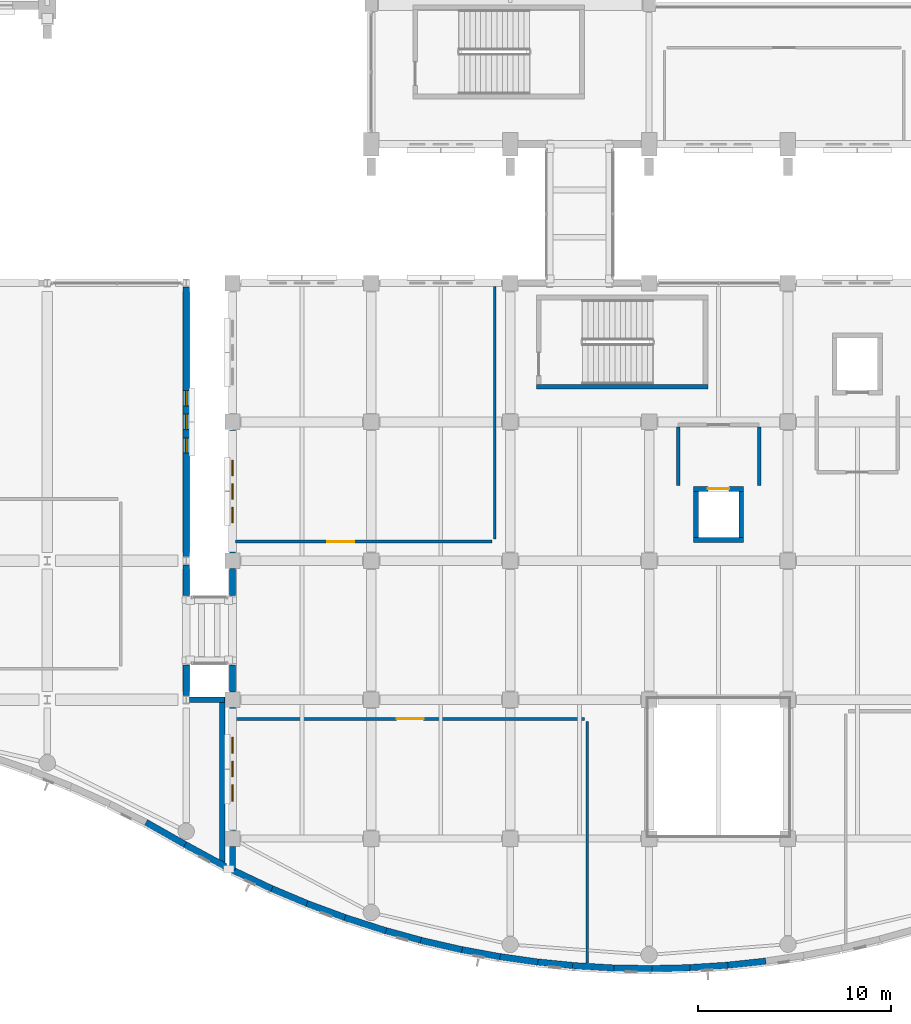
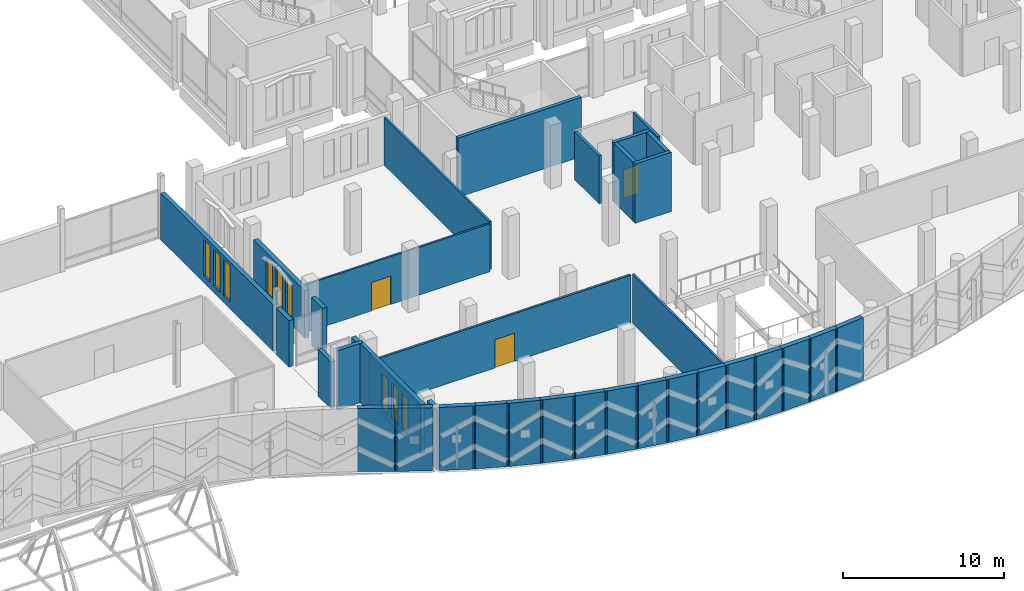
# One storey, part 158 of 220: 37 walls, 9 windows, 3 doors, 12 openings.
"""IFC4 building model written with IfcOpenShell, lengths in metres."""

from ifc_helpers import new_model, si_unit, direction, frame, frame_2d, origin, place, context, subcontext, project, spatial, rectangle, extrude, material, layer, layer_set, type_object, element, fill, save


model = new_model("IFC4")

# Units and contexts
model_context = context("Model", 3, precision=1e-05, world=origin(), true_north=direction((0.0, 1.0)))
body_context = subcontext(model_context, "Body", "Model", "MODEL_VIEW")
ifc_project = project(units=[si_unit("LENGTHUNIT", "METRE"), si_unit("AREAUNIT", "SQUARE_METRE"), si_unit("VOLUMEUNIT", "CUBIC_METRE"), si_unit("PLANEANGLEUNIT", "RADIAN"), si_unit("MASSUNIT", "GRAM", prefix="KILO")], contexts=[model_context])

# Site, building, storey
site_placement = place(None, origin())
site = spatial("IfcSite", under=ifc_project, at=site_placement, CompositionType="ELEMENT")
building_placement = place(site_placement, origin())
building = spatial("IfcBuilding", under=site, at=building_placement, Name="Cendralis Lancet Convention Centre", CompositionType="ELEMENT")
storey_placement = place(building_placement, frame((0.0, 0.0, 5.39990234375)))
storey = spatial("IfcBuildingStorey", under=building, at=storey_placement, Name="L01", CompositionType="ELEMENT", Elevation=5.39990234375)

# Walls
ifc_material_1 = material(Name="Buff sandstone ashlar and Concrete G40 (C40/50)", Category="masonry")
ifc_layer_1 = layer(ifc_material_1, 0.280029296875, Name="Buff sandstone ashlar and Concrete G40 (C40/50)")
ifc_layer_set_1 = layer_set([ifc_layer_1], Name="Buff sandstone ashlar and Concrete G40 (C40/50)")
wall_type_1 = type_object("IfcWallType", Name="ARC-EW-W280", PredefinedType="STANDARD", material=ifc_layer_set_1)
wall_1_placement = place(storey_placement, frame((131.47998046875, 14.5400390625, 0.0), z_axis=(0.0, 0.0, 1.0), x_axis=(0.0, -1.0, 0.0)))
element("IfcWall", 1, at=wall_1_placement, inside=storey, type_object=wall_type_1, Name="L01 V4 Wave East End Wall", PredefinedType="STANDARD", context=body_context, shape_type="SweptSolid", body=[
    extrude(rectangle(XDim=8.797119140625, YDim=0.280029296875, at=frame_2d((4.3984375, 0.0))), origin(), (0.0, 0.0, 1.0), 4.5),
])
wall_2_placement = place(storey_placement, frame((129.760009765625, 14.39990234375, 0.0), z_axis=(0.0, 0.0, 1.0), x_axis=(1.0, 0.0, 0.0)))
element("IfcWall", 2, at=wall_2_placement, inside=storey, type_object=wall_type_1, Name="L01 V4 Seismic Step Wall", PredefinedType="STANDARD", context=body_context, shape_type="SweptSolid", body=[
    extrude(rectangle(XDim=1.820068359375, YDim=0.280029296875, at=frame_2d((0.91015625, 0.0))), origin(), (0.0, 0.0, 1.0), 4.5),
])
ifc_layer_2 = layer(ifc_material_1, 0.320068359375, Name="Buff sandstone ashlar and Concrete G40 (C40/50)")
ifc_layer_set_2 = layer_set([ifc_layer_2], Name="Buff sandstone ashlar and Concrete G40 (C40/50)")
wall_type_2 = type_object("IfcWallType", Name="ARC-EW-W320", PredefinedType="STANDARD", material=ifc_layer_set_2)
for number, where, z_axis, x_axis, name in (
    (3, (129.60009765625, 21.39208984375, 0.0), (0.0, 0.0, 1.0), (0.0, -1.0, 0.0), "L01 V4 Exterior Wall EW-06 #0203"),
    (4, (129.60009765625, 16.199951171875, 0.0), (0.0, 0.0, 1.0), (0.0, -1.0, 0.0), "L01 V4 Exterior Wall EW-06 #0204"),
):
    element("IfcWall", number, at=place(storey_placement, frame(where, z_axis=z_axis, x_axis=x_axis)), inside=storey, type_object=wall_type_2, Name=name, PredefinedType="STANDARD", context=body_context, shape_type="SweptSolid", body=[
        extrude(rectangle(XDim=1.592041015625, YDim=0.320068359375, at=frame_2d((0.7958984375, 0.0))), origin(), (0.0, 0.0, 1.0), 3.53515625),
    ])

# Wall, openings, windows
wall_3_placement = place(storey_placement, frame((129.60009765625, 35.7919921875, 0.0), z_axis=(0.0, 0.0, 1.0), x_axis=(0.0, -1.0, 0.0)))
wall_3 = element("IfcWall", 5, at=wall_3_placement, inside=storey, type_object=wall_type_2, Name="L01 V4 Exterior Wall EW-06 #0205", PredefinedType="STANDARD", context=body_context, shape_type="SweptSolid", body=[
    extrude(rectangle(XDim=13.98388671875, YDim=0.320068359375, at=frame_2d((6.991943359375, 0.0))), origin(), (0.0, 0.0, 1.0), 3.53515625),
])
opening_1_placement = place(wall_3_placement, frame((5.3720703125, 0.0, 0.5)))
opening_1 = element("IfcOpeningElement", 6, at=opening_1_placement, cuts=wall_3, Name="Opening WN-07", PredefinedType="OPENING", context=body_context, shape_type="SweptSolid", body=[
    extrude(rectangle(XDim=0.800048828125, YDim=2.75, at=frame_2d((0.39990234375, 1.375))), frame((0.0, 0.169921875, 0.0), z_axis=(0.0, -1.0, 0.0), x_axis=(1.0, 0.0, 0.0)), (0.0, 0.0, 1.0), 0.340087890625),
])
opening_2_placement = place(wall_3_placement, frame((6.592041015625, 0.0, 0.5)))
opening_2 = element("IfcOpeningElement", 7, at=opening_2_placement, cuts=wall_3, Name="Opening WN-07", PredefinedType="OPENING", context=body_context, shape_type="SweptSolid", body=[
    extrude(rectangle(XDim=0.800048828125, YDim=2.75, at=frame_2d((0.39990234375, 1.375))), frame((0.0, 0.169921875, 0.0), z_axis=(0.0, -1.0, 0.0), x_axis=(1.0, 0.0, 0.0)), (0.0, 0.0, 1.0), 0.340087890625),
])
opening_3_placement = place(wall_3_placement, frame((7.81201171875, 0.0, 0.5)))
opening_3 = element("IfcOpeningElement", 8, at=opening_3_placement, cuts=wall_3, Name="Opening WN-07", PredefinedType="OPENING", context=body_context, shape_type="SweptSolid", body=[
    extrude(rectangle(XDim=0.800048828125, YDim=2.75, at=frame_2d((0.39990234375, 1.375))), frame((0.0, 0.169921875, 0.0), z_axis=(0.0, -1.0, 0.0), x_axis=(1.0, 0.0, 0.0)), (0.0, 0.0, 1.0), 0.340087890625),
])
ifc_material_2 = material(Name="Double-glazed low-E solar-control glass", Category="glass")
window_type_1 = type_object("IfcWindowType", Name="ARC-WN-LW07", PartitioningType="SINGLE_PANEL", PredefinedType="WINDOW", material=ifc_material_2)
window_1_placement = place(opening_1_placement, origin())
window_1 = element("IfcWindow", 9, at=window_1_placement, inside=storey, type_object=window_type_1, Name="Gothic Lancet Window WN-07 #0400", OverallHeight=2.75, OverallWidth=0.800048828125, PartitioningType="SINGLE_PANEL", PredefinedType="WINDOW", context=body_context, shape_type="SweptSolid", body=[
    extrude(rectangle(XDim=0.800048828125, YDim=2.75, at=frame_2d((0.39990234375, 1.375))), frame((0.0, 0.030029296875, 0.0), z_axis=(0.0, -1.0, 0.0), x_axis=(1.0, 0.0, 0.0)), (0.0, 0.0, 1.0), 0.06005859375),
])
fill(opening_1, window_1)
window_2_placement = place(opening_2_placement, origin())
window_2 = element("IfcWindow", 10, at=window_2_placement, inside=storey, type_object=window_type_1, Name="Gothic Lancet Window WN-07 #0401", OverallHeight=2.75, OverallWidth=0.800048828125, PartitioningType="SINGLE_PANEL", PredefinedType="WINDOW", context=body_context, shape_type="SweptSolid", body=[
    extrude(rectangle(XDim=0.800048828125, YDim=2.75, at=frame_2d((0.39990234375, 1.375))), frame((0.0, 0.030029296875, 0.0), z_axis=(0.0, -1.0, 0.0), x_axis=(1.0, 0.0, 0.0)), (0.0, 0.0, 1.0), 0.06005859375),
])
fill(opening_2, window_2)
window_3_placement = place(opening_3_placement, origin())
window_3 = element("IfcWindow", 11, at=window_3_placement, inside=storey, type_object=window_type_1, Name="Gothic Lancet Window WN-07 #0402", OverallHeight=2.75, OverallWidth=0.800048828125, PartitioningType="SINGLE_PANEL", PredefinedType="WINDOW", context=body_context, shape_type="SweptSolid", body=[
    extrude(rectangle(XDim=0.800048828125, YDim=2.75, at=frame_2d((0.39990234375, 1.375))), frame((0.0, 0.030029296875, 0.0), z_axis=(0.0, -1.0, 0.0), x_axis=(1.0, 0.0, 0.0)), (0.0, 0.0, 1.0), 0.06005859375),
])
fill(opening_3, window_3)

# Wall
wall_4_placement = place(storey_placement, frame((132.0, 5.56005859375, 0.0), z_axis=(0.0, 0.0, 1.0), x_axis=(0.0, 1.0, 0.0)))
element("IfcWall", 12, at=wall_4_placement, inside=storey, type_object=wall_type_2, Name="L01 V5 Exterior Wall EW-06 #0277", PredefinedType="STANDARD", context=body_context, shape_type="SweptSolid", body=[
    extrude(rectangle(XDim=1.23193359375, YDim=0.320068359375, at=frame_2d((0.615966796875, 0.0))), origin(), (0.0, 0.0, 1.0), 4.5),
])

# Wall, openings, windows
wall_5_placement = place(storey_placement, frame((132.0, 7.60791015625, 0.0), z_axis=(0.0, 0.0, 1.0), x_axis=(0.0, 1.0, 0.0)))
wall_5 = element("IfcWall", 13, at=wall_5_placement, inside=storey, type_object=wall_type_2, Name="L01 V5 Exterior Wall EW-06 #0278", PredefinedType="STANDARD", context=body_context, shape_type="SweptSolid", body=[
    extrude(rectangle(XDim=6.384033203125, YDim=0.320068359375, at=frame_2d((3.19189453125, 0.0))), origin(), (0.0, 0.0, 1.0), 3.635009765625),
])
opening_4_placement = place(wall_5_placement, frame((1.531982421875, 0.0, 0.5)))
opening_4 = element("IfcOpeningElement", 14, at=opening_4_placement, cuts=wall_5, Name="Opening WN-15", PredefinedType="OPENING", context=body_context, shape_type="SweptSolid", body=[
    extrude(rectangle(XDim=0.840087890625, YDim=2.699951171875, at=frame_2d((0.419921875, 1.35009765625))), frame((0.0, 0.169921875, 0.0), z_axis=(0.0, -1.0, 0.0), x_axis=(1.0, 0.0, 0.0)), (0.0, 0.0, 1.0), 0.340087890625),
])
opening_5_placement = place(wall_5_placement, frame((2.7919921875, 0.0, 0.5)))
opening_5 = element("IfcOpeningElement", 15, at=opening_5_placement, cuts=wall_5, Name="Opening WN-07", PredefinedType="OPENING", context=body_context, shape_type="SweptSolid", body=[
    extrude(rectangle(XDim=0.800048828125, YDim=2.75, at=frame_2d((0.39990234375, 1.375))), frame((0.0, 0.169921875, 0.0), z_axis=(0.0, -1.0, 0.0), x_axis=(1.0, 0.0, 0.0)), (0.0, 0.0, 1.0), 0.340087890625),
])
opening_6_placement = place(wall_5_placement, frame((4.011962890625, 0.0, 0.5)))
opening_6 = element("IfcOpeningElement", 16, at=opening_6_placement, cuts=wall_5, Name="Opening WN-15", PredefinedType="OPENING", context=body_context, shape_type="SweptSolid", body=[
    extrude(rectangle(XDim=0.840087890625, YDim=2.699951171875, at=frame_2d((0.419921875, 1.35009765625))), frame((0.0, 0.169921875, 0.0), z_axis=(0.0, -1.0, 0.0), x_axis=(1.0, 0.0, 0.0)), (0.0, 0.0, 1.0), 0.340087890625),
])
window_4_placement = place(opening_5_placement, origin())
window_4 = element("IfcWindow", 17, at=window_4_placement, inside=storey, type_object=window_type_1, Name="Gothic Lancet Window WN-07 #0536", OverallHeight=2.75, OverallWidth=0.800048828125, PartitioningType="SINGLE_PANEL", PredefinedType="WINDOW", context=body_context, shape_type="SweptSolid", body=[
    extrude(rectangle(XDim=0.800048828125, YDim=2.75, at=frame_2d((0.39990234375, 1.375))), frame((0.0, 0.030029296875, 0.0), z_axis=(0.0, -1.0, 0.0), x_axis=(1.0, 0.0, 0.0)), (0.0, 0.0, 1.0), 0.06005859375),
])
fill(opening_5, window_4)
window_type_2 = type_object("IfcWindowType", Name="ARC-WN-LW15", PartitioningType="SINGLE_PANEL", PredefinedType="WINDOW", material=ifc_material_2)
window_5_placement = place(opening_4_placement, origin())
window_5 = element("IfcWindow", 18, at=window_5_placement, inside=storey, type_object=window_type_2, Name="Gothic Lancet Window WN-15 #0535", OverallHeight=2.699951171875, OverallWidth=0.840087890625, PartitioningType="SINGLE_PANEL", PredefinedType="WINDOW", context=body_context, shape_type="SweptSolid", body=[
    extrude(rectangle(XDim=0.840087890625, YDim=2.699951171875, at=frame_2d((0.419921875, 1.35009765625))), frame((0.0, 0.030029296875, 0.0), z_axis=(0.0, -1.0, 0.0), x_axis=(1.0, 0.0, 0.0)), (0.0, 0.0, 1.0), 0.06005859375),
])
fill(opening_4, window_5)
window_6_placement = place(opening_6_placement, origin())
window_6 = element("IfcWindow", 19, at=window_6_placement, inside=storey, type_object=window_type_2, Name="Gothic Lancet Window WN-15 #0537", OverallHeight=2.699951171875, OverallWidth=0.840087890625, PartitioningType="SINGLE_PANEL", PredefinedType="WINDOW", context=body_context, shape_type="SweptSolid", body=[
    extrude(rectangle(XDim=0.840087890625, YDim=2.699951171875, at=frame_2d((0.419921875, 1.35009765625))), frame((0.0, 0.030029296875, 0.0), z_axis=(0.0, -1.0, 0.0), x_axis=(1.0, 0.0, 0.0)), (0.0, 0.0, 1.0), 0.06005859375),
])
fill(opening_6, window_6)

# Walls
for number, where, z_axis, x_axis, name in (
    (20, (132.0, 14.80810546875, 0.0), (0.0, 0.0, 1.0), (0.0, 1.0, 0.0), "L01 V5 Exterior Wall EW-06 #0279"),
    (21, (132.0, 19.800048828125, 0.0), (0.0, 0.0, 1.0), (0.0, 1.0, 0.0), "L01 V5 Exterior Wall EW-06 #0280"),
):
    element("IfcWall", number, at=place(storey_placement, frame(where, z_axis=z_axis, x_axis=x_axis)), inside=storey, type_object=wall_type_2, Name=name, PredefinedType="STANDARD", context=body_context, shape_type="SweptSolid", body=[
        extrude(rectangle(XDim=1.391845703125, YDim=0.320068359375, at=frame_2d((0.69580078125, 0.0))), origin(), (0.0, 0.0, 1.0), 3.635009765625),
    ])

# Wall, openings, windows
wall_6_placement = place(storey_placement, frame((132.0, 22.008056640625, 0.0), z_axis=(0.0, 0.0, 1.0), x_axis=(0.0, 1.0, 0.0)))
wall_6 = element("IfcWall", 22, at=wall_6_placement, inside=storey, type_object=wall_type_2, Name="L01 V5 Exterior Wall EW-06 #0281", PredefinedType="STANDARD", context=body_context, shape_type="SweptSolid", body=[
    extrude(rectangle(XDim=6.384033203125, YDim=0.320068359375, at=frame_2d((3.19189453125, 0.0))), origin(), (0.0, 0.0, 1.0), 3.635009765625),
])
opening_7_placement = place(wall_6_placement, frame((1.572021484375, 0.0, 0.5)))
opening_7 = element("IfcOpeningElement", 23, at=opening_7_placement, cuts=wall_6, Name="Opening WN-07", PredefinedType="OPENING", context=body_context, shape_type="SweptSolid", body=[
    extrude(rectangle(XDim=0.800048828125, YDim=2.75, at=frame_2d((0.39990234375, 1.375))), frame((0.0, 0.169921875, 0.0), z_axis=(0.0, -1.0, 0.0), x_axis=(1.0, 0.0, 0.0)), (0.0, 0.0, 1.0), 0.340087890625),
])
opening_8_placement = place(wall_6_placement, frame((2.7919921875, 0.0, 0.5)))
opening_8 = element("IfcOpeningElement", 24, at=opening_8_placement, cuts=wall_6, Name="Opening WN-07", PredefinedType="OPENING", context=body_context, shape_type="SweptSolid", body=[
    extrude(rectangle(XDim=0.800048828125, YDim=2.75, at=frame_2d((0.39990234375, 1.375))), frame((0.0, 0.169921875, 0.0), z_axis=(0.0, -1.0, 0.0), x_axis=(1.0, 0.0, 0.0)), (0.0, 0.0, 1.0), 0.340087890625),
])
opening_9_placement = place(wall_6_placement, frame((4.011962890625, 0.0, 0.5)))
opening_9 = element("IfcOpeningElement", 25, at=opening_9_placement, cuts=wall_6, Name="Opening WN-07", PredefinedType="OPENING", context=body_context, shape_type="SweptSolid", body=[
    extrude(rectangle(XDim=0.800048828125, YDim=2.75, at=frame_2d((0.39990234375, 1.375))), frame((0.0, 0.169921875, 0.0), z_axis=(0.0, -1.0, 0.0), x_axis=(1.0, 0.0, 0.0)), (0.0, 0.0, 1.0), 0.340087890625),
])
window_7_placement = place(opening_7_placement, origin())
window_7 = element("IfcWindow", 26, at=window_7_placement, inside=storey, type_object=window_type_1, Name="Gothic Lancet Window WN-07 #0538", OverallHeight=2.75, OverallWidth=0.800048828125, PartitioningType="SINGLE_PANEL", PredefinedType="WINDOW", context=body_context, shape_type="SweptSolid", body=[
    extrude(rectangle(XDim=0.800048828125, YDim=2.75, at=frame_2d((0.39990234375, 1.375))), frame((0.0, 0.030029296875, 0.0), z_axis=(0.0, -1.0, 0.0), x_axis=(1.0, 0.0, 0.0)), (0.0, 0.0, 1.0), 0.06005859375),
])
fill(opening_7, window_7)
window_8_placement = place(opening_8_placement, origin())
window_8 = element("IfcWindow", 27, at=window_8_placement, inside=storey, type_object=window_type_1, Name="Gothic Lancet Window WN-07 #0539", OverallHeight=2.75, OverallWidth=0.800048828125, PartitioningType="SINGLE_PANEL", PredefinedType="WINDOW", context=body_context, shape_type="SweptSolid", body=[
    extrude(rectangle(XDim=0.800048828125, YDim=2.75, at=frame_2d((0.39990234375, 1.375))), frame((0.0, 0.030029296875, 0.0), z_axis=(0.0, -1.0, 0.0), x_axis=(1.0, 0.0, 0.0)), (0.0, 0.0, 1.0), 0.06005859375),
])
fill(opening_8, window_8)
window_9_placement = place(opening_9_placement, origin())
window_9 = element("IfcWindow", 28, at=window_9_placement, inside=storey, type_object=window_type_1, Name="Gothic Lancet Window WN-07 #0540", OverallHeight=2.75, OverallWidth=0.800048828125, PartitioningType="SINGLE_PANEL", PredefinedType="WINDOW", context=body_context, shape_type="SweptSolid", body=[
    extrude(rectangle(XDim=0.800048828125, YDim=2.75, at=frame_2d((0.39990234375, 1.375))), frame((0.0, 0.030029296875, 0.0), z_axis=(0.0, -1.0, 0.0), x_axis=(1.0, 0.0, 0.0)), (0.0, 0.0, 1.0), 0.06005859375),
])
fill(opening_9, window_9)

# Walls
ifc_layer_3 = layer(ifc_material_1, 0.340087890625, Name="Buff sandstone ashlar and Concrete G40 (C40/50)")
ifc_layer_set_3 = layer_set([ifc_layer_3], Name="Buff sandstone ashlar and Concrete G40 (C40/50)")
wall_type_3 = type_object("IfcWallType", Name="ARC-EW-W340", PredefinedType="STANDARD", material=ifc_layer_set_3)
wall_7_placement = place(storey_placement, frame((127.51611328125, 8.037109375, 0.0), z_axis=(0.0, 0.0, 1.0), x_axis=(0.869365001854, -0.494170510605, 0.0)))
element("IfcWall", 29, at=wall_7_placement, inside=storey, type_object=wall_type_3, Name="South Boulevard Wave Wall L01 WP-064-WP-065", PredefinedType="STANDARD", context=body_context, shape_type="SweptSolid", body=[
    extrude(rectangle(XDim=2.499267578125, YDim=0.340087890625, at=frame_2d((1.24951171875, 0.0))), origin(), (0.0, 0.0, 1.0), 4.800048828125),
])
wall_8_placement = place(storey_placement, frame((129.540283203125, 6.884521484375, 0.0), z_axis=(0.0, 0.0, 1.0), x_axis=(0.878535047762, -0.477677893411, 0.0)))
element("IfcWall", 30, at=wall_8_placement, inside=storey, type_object=wall_type_3, Name="South Boulevard Wave Wall L01 WP-065-WP-066", PredefinedType="STANDARD", context=body_context, shape_type="SweptSolid", body=[
    extrude(rectangle(XDim=2.389892578125, YDim=0.340087890625, at=frame_2d((1.19482421875, 0.0))), origin(), (0.0, 0.0, 1.0), 4.800048828125),
])
wall_9_placement = place(storey_placement, frame((132.0, 5.56005859375, 0.0), z_axis=(0.0, 0.0, 1.0), x_axis=(0.903507193963, -0.428572923151, 0.0)))
element("IfcWall", 31, at=wall_9_placement, inside=storey, type_object=wall_type_3, Name="South Boulevard Wave Wall L01 WP-067-WP-068", PredefinedType="STANDARD", context=body_context, shape_type="SweptSolid", body=[
    extrude(rectangle(XDim=2.264404296875, YDim=0.340087890625, at=frame_2d((1.13232421875, 0.0))), origin(), (0.0, 0.0, 1.0), 4.800048828125),
])
wall_10_placement = place(storey_placement, frame((133.890625, 4.658935546875, 0.0), z_axis=(0.0, 0.0, 1.0), x_axis=(0.921828570825, -0.387597840564, 0.0)))
element("IfcWall", 32, at=wall_10_placement, inside=storey, type_object=wall_type_3, Name="South Boulevard Wave Wall L01 WP-068-WP-069", PredefinedType="STANDARD", context=body_context, shape_type="SweptSolid", body=[
    extrude(rectangle(XDim=2.305908203125, YDim=0.340087890625, at=frame_2d((1.15283203125, 0.0))), origin(), (0.0, 0.0, 1.0), 4.800048828125),
])
wall_11_placement = place(storey_placement, frame((135.8583984375, 3.827392578125, 0.0), z_axis=(0.0, 0.0, 1.0), x_axis=(0.93814646978, -0.346238647813, 0.0)))
element("IfcWall", 33, at=wall_11_placement, inside=storey, type_object=wall_type_3, Name="South Boulevard Wave Wall L01 WP-069-WP-070", PredefinedType="STANDARD", context=body_context, shape_type="SweptSolid", body=[
    extrude(rectangle(XDim=2.269775390625, YDim=0.340087890625, at=frame_2d((1.134765625, 0.0))), origin(), (0.0, 0.0, 1.0), 4.800048828125),
])
wall_12_placement = place(storey_placement, frame((137.8271484375, 3.096923828125, 0.0), z_axis=(0.0, 0.0, 1.0), x_axis=(0.952169210283, -0.305571260083, 0.0)))
element("IfcWall", 34, at=wall_12_placement, inside=storey, type_object=wall_type_3, Name="South Boulevard Wave Wall L01 WP-070-WP-071", PredefinedType="STANDARD", context=body_context, shape_type="SweptSolid", body=[
    extrude(rectangle(XDim=2.23779296875, YDim=0.340087890625, at=frame_2d((1.118896484375, 0.0))), origin(), (0.0, 0.0, 1.0), 4.800048828125),
])
wall_13_placement = place(storey_placement, frame((139.794921875, 2.46142578125, 0.0), z_axis=(0.0, 0.0, 1.0), x_axis=(0.964393520916, -0.264471429108, 0.0)))
element("IfcWall", 35, at=wall_13_placement, inside=storey, type_object=wall_type_3, Name="South Boulevard Wave Wall L01 WP-071-WP-072", PredefinedType="STANDARD", context=body_context, shape_type="SweptSolid", body=[
    extrude(rectangle(XDim=2.2119140625, YDim=0.340087890625, at=frame_2d((1.10595703125, 0.0))), origin(), (0.0, 0.0, 1.0), 4.800048828125),
])
wall_14_placement = place(storey_placement, frame((141.76318359375, 1.91796875, 0.0), z_axis=(0.0, 0.0, 1.0), x_axis=(0.974752541238, -0.223287893424, 0.0)))
element("IfcWall", 36, at=wall_14_placement, inside=storey, type_object=wall_type_3, Name="South Boulevard Wave Wall L01 WP-072-WP-073", PredefinedType="STANDARD", context=body_context, shape_type="SweptSolid", body=[
    extrude(rectangle(XDim=2.18994140625, YDim=0.340087890625, at=frame_2d((1.094970703125, 0.0))), origin(), (0.0, 0.0, 1.0), 4.800048828125),
])
wall_15_placement = place(storey_placement, frame((143.7314453125, 1.46337890625, 0.0), z_axis=(0.0, 0.0, 1.0), x_axis=(0.983183551004, -0.182620111256, 0.0)))
element("IfcWall", 37, at=wall_15_placement, inside=storey, type_object=wall_type_3, Name="South Boulevard Wave Wall L01 WP-073-WP-074", PredefinedType="STANDARD", context=body_context, shape_type="SweptSolid", body=[
    extrude(rectangle(XDim=2.173828125, YDim=0.340087890625, at=frame_2d((1.0869140625, 0.0))), origin(), (0.0, 0.0, 1.0), 4.800048828125),
])
wall_16_placement = place(storey_placement, frame((145.700927734375, 1.093994140625, 0.0), z_axis=(0.0, 0.0, 1.0), x_axis=(0.989974357752, -0.141247198176, 0.0)))
element("IfcWall", 38, at=wall_16_placement, inside=storey, type_object=wall_type_3, Name="South Boulevard Wave Wall L01 WP-074-WP-075", PredefinedType="STANDARD", context=body_context, shape_type="SweptSolid", body=[
    extrude(rectangle(XDim=2.158935546875, YDim=0.340087890625, at=frame_2d((1.07958984375, 0.0))), origin(), (0.0, 0.0, 1.0), 4.800048828125),
])
wall_17_placement = place(storey_placement, frame((147.66943359375, 0.8095703125, 0.0), z_axis=(0.0, 0.0, 1.0), x_axis=(0.994978527068, -0.100088614107, 0.0)))
element("IfcWall", 39, at=wall_17_placement, inside=storey, type_object=wall_type_3, Name="South Boulevard Wave Wall L01 WP-075-WP-076", PredefinedType="STANDARD", context=body_context, shape_type="SweptSolid", body=[
    extrude(rectangle(XDim=2.14892578125, YDim=0.340087890625, at=frame_2d((1.074462890625, 0.0))), origin(), (0.0, 0.0, 1.0), 4.800048828125),
])
wall_18_placement = place(storey_placement, frame((149.63818359375, 0.60791015625, 0.0), z_axis=(0.0, 0.0, 1.0), x_axis=(0.998242794365, -0.059256421583, 0.0)))
element("IfcWall", 40, at=wall_18_placement, inside=storey, type_object=wall_type_3, Name="South Boulevard Wave Wall L01 WP-076-WP-077", PredefinedType="STANDARD", context=body_context, shape_type="SweptSolid", body=[
    extrude(rectangle(XDim=2.142333984375, YDim=0.340087890625, at=frame_2d((1.0712890625, 0.0))), origin(), (0.0, 0.0, 1.0), 4.800048828125),
])
wall_19_placement = place(storey_placement, frame((151.60693359375, 0.487548828125, 0.0), z_axis=(0.0, 0.0, 1.0), x_axis=(0.999833467677, -0.018249298977, 0.0)))
element("IfcWall", 41, at=wall_19_placement, inside=storey, type_object=wall_type_3, Name="South Boulevard Wave Wall L01 WP-077-WP-078", PredefinedType="STANDARD", context=body_context, shape_type="SweptSolid", body=[
    extrude(rectangle(XDim=2.140380859375, YDim=0.340087890625, at=frame_2d((1.0703125, 0.0))), origin(), (0.0, 0.0, 1.0), 4.800048828125),
])
wall_20_placement = place(storey_placement, frame((153.576904296875, 0.447998046875, 0.0), z_axis=(0.0, 0.0, 1.0), x_axis=(0.999739592294, 0.022819894825, 0.0)))
element("IfcWall", 42, at=wall_20_placement, inside=storey, type_object=wall_type_3, Name="South Boulevard Wave Wall L01 WP-078-WP-079", PredefinedType="STANDARD", context=body_context, shape_type="SweptSolid", body=[
    extrude(rectangle(XDim=2.1396484375, YDim=0.340087890625, at=frame_2d((1.06982421875, 0.0))), origin(), (0.0, 0.0, 1.0), 4.800048828125),
])
wall_21_placement = place(storey_placement, frame((155.546142578125, 0.489501953125, 0.0), z_axis=(0.0, 0.0, 1.0), x_axis=(0.997955655169, 0.063910173807, 0.0)))
element("IfcWall", 43, at=wall_21_placement, inside=storey, type_object=wall_type_3, Name="South Boulevard Wave Wall L01 WP-079-WP-080", PredefinedType="STANDARD", context=body_context, shape_type="SweptSolid", body=[
    extrude(rectangle(XDim=2.14306640625, YDim=0.340087890625, at=frame_2d((1.071533203125, 0.0))), origin(), (0.0, 0.0, 1.0), 4.800048828125),
])
wall_22_placement = place(storey_placement, frame((157.515380859375, 0.612060546875, 0.0), z_axis=(0.0, 0.0, 1.0), x_axis=(0.994468682543, 0.105033515797, 0.0)))
element("IfcWall", 44, at=wall_22_placement, inside=storey, type_object=wall_type_3, Name="South Boulevard Wave Wall L01 WP-080-WP-081", PredefinedType="STANDARD", context=body_context, shape_type="SweptSolid", body=[
    extrude(rectangle(XDim=2.150146484375, YDim=0.340087890625, at=frame_2d((1.0751953125, 0.0))), origin(), (0.0, 0.0, 1.0), 4.800048828125),
])
ifc_material_3 = material(Name="Acoustic fire-rated gypsum board on steel studs", Category="steel")
ifc_layer_4 = layer(ifc_material_3, 0.139892578125, Name="Acoustic fire-rated gypsum board on steel studs")
ifc_layer_set_4 = layer_set([ifc_layer_4], Name="Acoustic fire-rated gypsum board on steel studs")
wall_type_4 = type_object("IfcWallType", Name="ARC-IW-P140", PredefinedType="PARTITIONING", material=ifc_layer_set_4)
wall_23_placement = place(storey_placement, frame((150.39990234375, 0.74365234375, 0.0), z_axis=(0.0, 0.0, 1.0), x_axis=(0.0, 1.0, 0.0)))
element("IfcWall", 45, at=wall_23_placement, inside=storey, type_object=wall_type_4, Name="L01 Interior Partition IW-04 #0368", PredefinedType="PARTITIONING", context=body_context, shape_type="SweptSolid", body=[
    extrude(rectangle(XDim=12.516357421875, YDim=0.139892578125, at=frame_2d((6.25830078125, 0.0))), origin(), (0.0, 0.0, 1.0), 3.735107421875),
])

# Wall, opening, door
wall_24_placement = place(storey_placement, frame((132.169921875, 22.60009765625, 0.0), z_axis=(0.0, 0.0, 1.0), x_axis=(1.0, 0.0, 0.0)))
wall_24 = element("IfcWall", 46, at=wall_24_placement, inside=storey, type_object=wall_type_4, Name="L01 Interior Partition IW-04 #0374", PredefinedType="PARTITIONING", context=body_context, shape_type="SweptSolid", body=[
    extrude(rectangle(XDim=13.2900390625, YDim=0.139892578125, at=frame_2d((6.64501953125, 0.0))), origin(), (0.0, 0.0, 1.0), 3.635009765625),
])
opening_10_placement = place(wall_24_placement, frame((4.756103515625, 0.0, 0.0)))
opening_10 = element("IfcOpeningElement", 47, at=opening_10_placement, cuts=wall_24, Name="Opening ID-14", PredefinedType="OPENING", context=body_context, shape_type="SweptSolid", body=[
    extrude(rectangle(XDim=1.39990234375, YDim=2.14990234375, at=frame_2d((0.699951171875, 1.074951171875))), frame((0.0, 0.079833984375, 0.0), z_axis=(0.0, -1.0, 0.0), x_axis=(1.0, 0.0, 0.0)), (0.0, 0.0, 1.0), 0.159912109375),
])
ifc_material_4 = material(Name="Acoustic Chilean lenga timber and steel fire leaf", Category="steel")
door_type_1 = type_object("IfcDoorType", Name="ARC-DR-DB14", OperationType="NOTDEFINED", PredefinedType="DOOR", material=ifc_material_4)
door_1_placement = place(opening_10_placement, frame((1.39990234375, 0.0, 0.0), z_axis=(0.0, 0.0, 1.0), x_axis=(-1.0, 0.0, 0.0)))
door_1 = element("IfcDoor", 48, at=door_1_placement, inside=storey, type_object=door_type_1, Name="L01-D036 L01 Interior Door ID-14 #0127", OperationType="DOUBLE_DOOR_SINGLE_SWING", OverallHeight=2.14990234375, OverallWidth=1.39990234375, PredefinedType="DOOR", context=body_context, shape_type="SweptSolid", body=[
    extrude(rectangle(XDim=1.39990234375, YDim=2.14990234375, at=frame_2d((0.699951171875, 1.074951171875))), frame((0.0, 0.02490234375, 0.0), z_axis=(0.0, -1.0, 0.0), x_axis=(1.0, 0.0, 0.0)), (0.0, 0.0, 1.0), 0.050048828125),
])
fill(opening_10, door_1)

# Wall
wall_25_placement = place(storey_placement, frame((145.60009765625, 22.739990234375, 0.0), z_axis=(0.0, 0.0, 1.0), x_axis=(0.0, 1.0, 0.0)))
element("IfcWall", 49, at=wall_25_placement, inside=storey, type_object=wall_type_4, Name="L01 Interior Partition IW-04 #0375", PredefinedType="PARTITIONING", context=body_context, shape_type="SweptSolid", body=[
    extrude(rectangle(XDim=13.090087890625, YDim=0.139892578125, at=frame_2d((6.544921875, 0.0))), origin(), (0.0, 0.0, 1.0), 3.635009765625),
])

# Wall, opening, door
ifc_layer_5 = layer(ifc_material_3, 0.159912109375, Name="Acoustic fire-rated gypsum board on steel studs")
ifc_layer_set_5 = layer_set([ifc_layer_5], Name="Acoustic fire-rated gypsum board on steel studs")
wall_type_5 = type_object("IfcWallType", Name="ARC-IW-P160", PredefinedType="PARTITIONING", material=ifc_layer_set_5)
wall_26_placement = place(storey_placement, frame((132.169921875, 13.39990234375, 0.0), z_axis=(0.0, 0.0, 1.0), x_axis=(1.0, 0.0, 0.0)))
wall_26 = element("IfcWall", 50, at=wall_26_placement, inside=storey, type_object=wall_type_5, Name="L01 Interior Partition IW-03 #0367", PredefinedType="PARTITIONING", context=body_context, shape_type="SweptSolid", body=[
    extrude(rectangle(XDim=18.090087890625, YDim=0.159912109375, at=frame_2d((9.044921875, 0.0))), origin(), (0.0, 0.0, 1.0), 3.635009765625),
])
opening_11_placement = place(wall_26_placement, frame((8.344970703125, 0.0, 0.0)))
opening_11 = element("IfcOpeningElement", 51, at=opening_11_placement, cuts=wall_26, Name="Opening ID-14", PredefinedType="OPENING", context=body_context, shape_type="SweptSolid", body=[
    extrude(rectangle(XDim=1.39990234375, YDim=2.14990234375, at=frame_2d((0.699951171875, 1.074951171875))), frame((0.0, 0.08984375, 0.0), z_axis=(0.0, -1.0, 0.0), x_axis=(1.0, 0.0, 0.0)), (0.0, 0.0, 1.0), 0.179931640625),
])
door_2_placement = place(opening_11_placement, origin())
door_2 = element("IfcDoor", 52, at=door_2_placement, inside=storey, type_object=door_type_1, Name="L01-D033 L01 Interior Door ID-14 #0124", OperationType="DOUBLE_DOOR_SINGLE_SWING", OverallHeight=2.14990234375, OverallWidth=1.39990234375, PredefinedType="DOOR", context=body_context, shape_type="SweptSolid", body=[
    extrude(rectangle(XDim=1.39990234375, YDim=2.14990234375, at=frame_2d((0.699951171875, 1.074951171875))), frame((0.0, 0.02490234375, 0.0), z_axis=(0.0, -1.0, 0.0), x_axis=(1.0, 0.0, 0.0)), (0.0, 0.0, 1.0), 0.050048828125),
])
fill(opening_11, door_2)

# Walls
ifc_layer_6 = layer(ifc_material_3, 0.179931640625, Name="Acoustic fire-rated gypsum board on steel studs")
ifc_layer_set_6 = layer_set([ifc_layer_6], Name="Acoustic fire-rated gypsum board on steel studs")
wall_type_6 = type_object("IfcWallType", Name="ARC-IW-P180", PredefinedType="PARTITIONING", material=ifc_layer_set_6)
for number, where, z_axis, x_axis, name in (
    (53, (155.10009765625, 25.5, 0.0), (0.0, 0.0, 1.0), (0.0, 1.0, 0.0), "L01 Lift Lobby LP-01 West Wall"),
    (54, (159.300048828125, 25.5, 0.0), (0.0, 0.0, 1.0), (0.0, 1.0, 0.0), "L01 Lift Lobby LP-01 East Wall"),
):
    element("IfcWall", number, at=place(storey_placement, frame(where, z_axis=z_axis, x_axis=x_axis)), inside=storey, type_object=wall_type_6, Name=name, PredefinedType="PARTITIONING", context=body_context, shape_type="SweptSolid", body=[
        extrude(rectangle(XDim=3.050048828125, YDim=0.179931640625, at=frame_2d((1.52490234375, 0.0))), origin(), (0.0, 0.0, 1.0), 3.635009765625),
    ])
ifc_material_5 = material(Name="Concrete G40 (C40/50)", Category="concrete")
ifc_layer_7 = layer(ifc_material_5, 0.25, Name="Concrete G40 (C40/50)")
ifc_layer_set_7 = layer_set([ifc_layer_7], Name="Concrete G40 (C40/50)")
wall_type_7 = type_object("IfcWallType", Name="STR-SW-CW250", PredefinedType="SHEAR", material=ifc_layer_set_7)
wall_27_placement = place(storey_placement, frame((147.75, 30.625, 0.0), z_axis=(0.0, 0.0, 1.0), x_axis=(1.0, 0.0, 0.0)))
element("IfcWall", 55, at=wall_27_placement, inside=storey, type_object=wall_type_7, Name="L01 Stair Core ST-13 South Shear Wall", PredefinedType="SHEAR", context=body_context, shape_type="SweptSolid", body=[
    extrude(rectangle(XDim=8.89990234375, YDim=0.25, at=frame_2d((4.449951171875, 0.0))), origin(), (0.0, 0.0, 1.0), 4.5),
])
wall_28_placement = place(storey_placement, frame((155.89990234375, 22.675048828125, 0.0), z_axis=(0.0, 0.0, 1.0), x_axis=(1.0, 0.0, 0.0)))
element("IfcWall", 56, at=wall_28_placement, inside=storey, type_object=wall_type_7, Name="L01 Lift LP-01 South Shaft Wall", PredefinedType="SHEAR", context=body_context, shape_type="SweptSolid", body=[
    extrude(rectangle(XDim=2.60009765625, YDim=0.25, at=frame_2d((1.300048828125, 0.0))), origin(), (0.0, 0.0, 1.0), 4.5),
])

# Wall, opening, door
wall_29_placement = place(storey_placement, frame((155.89990234375, 25.324951171875, 0.0), z_axis=(0.0, 0.0, 1.0), x_axis=(1.0, 0.0, 0.0)))
wall_29 = element("IfcWall", 57, at=wall_29_placement, inside=storey, type_object=wall_type_7, Name="L01 Lift LP-01 North Shaft Wall", PredefinedType="SHEAR", context=body_context, shape_type="SweptSolid", body=[
    extrude(rectangle(XDim=2.60009765625, YDim=0.25, at=frame_2d((1.300048828125, 0.0))), origin(), (0.0, 0.0, 1.0), 4.5),
])
opening_12_placement = place(wall_29_placement, frame((0.75, 0.0, 0.0)))
opening_12 = element("IfcOpeningElement", 58, at=opening_12_placement, cuts=wall_29, Name="Opening LD-11", PredefinedType="OPENING", context=body_context, shape_type="SweptSolid", body=[
    extrude(rectangle(XDim=1.10009765625, YDim=2.14990234375, at=frame_2d((0.550048828125, 1.074951171875))), frame((0.0, 0.135009765625, 0.0), z_axis=(0.0, -1.0, 0.0), x_axis=(1.0, 0.0, 0.0)), (0.0, 0.0, 1.0), 0.27001953125),
])
ifc_material_6 = material(Name="Anodised bronze architectural aluminium", Category="aluminium")
door_type_2 = type_object("IfcDoorType", Name="ARC-DR-LD11", OperationType="NOTDEFINED", PredefinedType="DOOR", material=ifc_material_6)
door_3_placement = place(opening_12_placement, origin())
door_3 = element("IfcDoor", 59, at=door_3_placement, inside=storey, type_object=door_type_2, Name="L01-D046 L01 Lift LP-01 Sliding Landing Door", OperationType="SLIDING_TO_RIGHT", OverallHeight=2.14990234375, OverallWidth=1.10009765625, PredefinedType="DOOR", context=body_context, shape_type="SweptSolid", body=[
    extrude(rectangle(XDim=1.10009765625, YDim=2.14990234375, at=frame_2d((0.550048828125, 1.074951171875))), frame((0.0, 0.02490234375, 0.0), z_axis=(0.0, -1.0, 0.0), x_axis=(1.0, 0.0, 0.0)), (0.0, 0.0, 1.0), 0.050048828125),
])
fill(opening_12, door_3)

# Walls
for number, where, z_axis, x_axis, name in (
    (60, (156.02490234375, 22.800048828125, 0.0), (0.0, 0.0, 1.0), (0.0, 1.0, 0.0), "L01 Lift LP-01 West Shaft Wall"),
    (61, (158.375, 22.800048828125, 0.0), (0.0, 0.0, 1.0), (0.0, 1.0, 0.0), "L01 Lift LP-01 East Shaft Wall"),
):
    element("IfcWall", number, at=place(storey_placement, frame(where, z_axis=z_axis, x_axis=x_axis)), inside=storey, type_object=wall_type_7, Name=name, PredefinedType="SHEAR", context=body_context, shape_type="SweptSolid", body=[
        extrude(rectangle(XDim=2.39990234375, YDim=0.25, at=frame_2d((1.199951171875, 0.0))), origin(), (0.0, 0.0, 1.0), 4.5),
    ])

save(model, "model.ifc")
